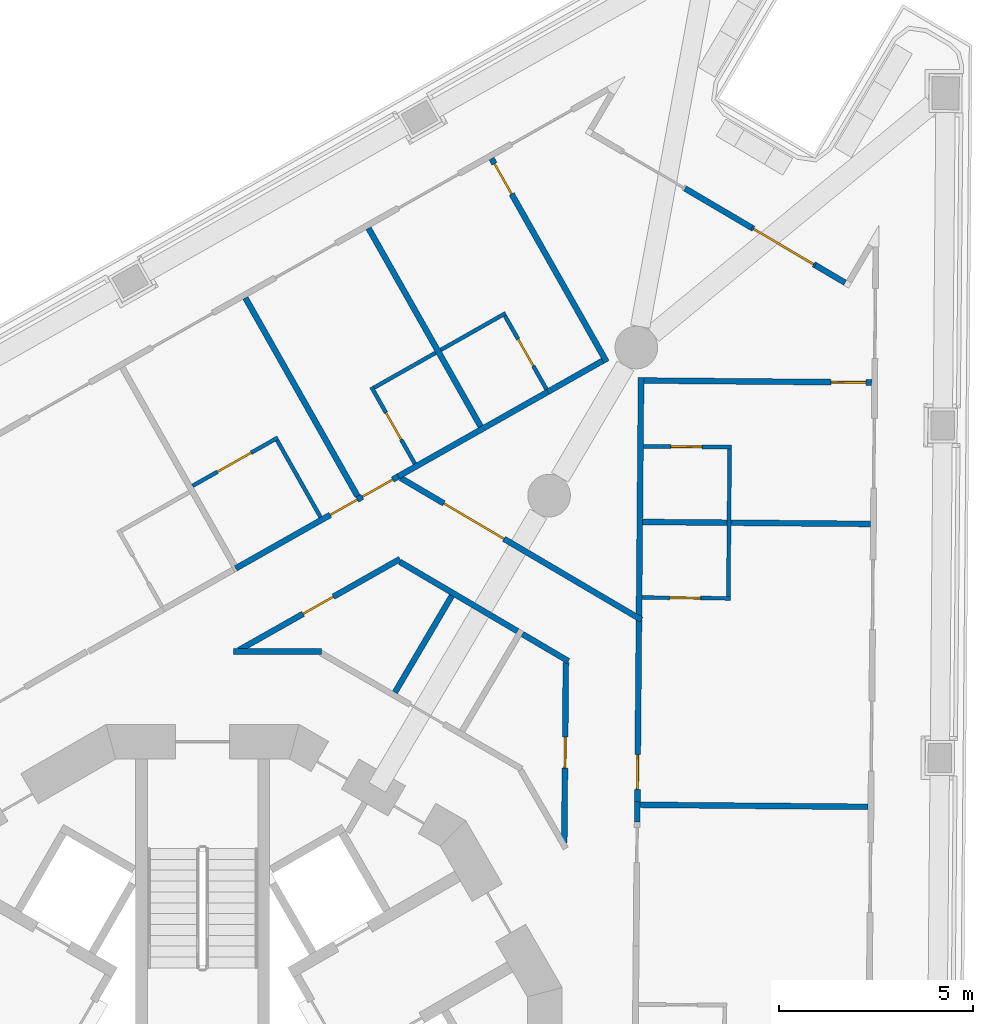
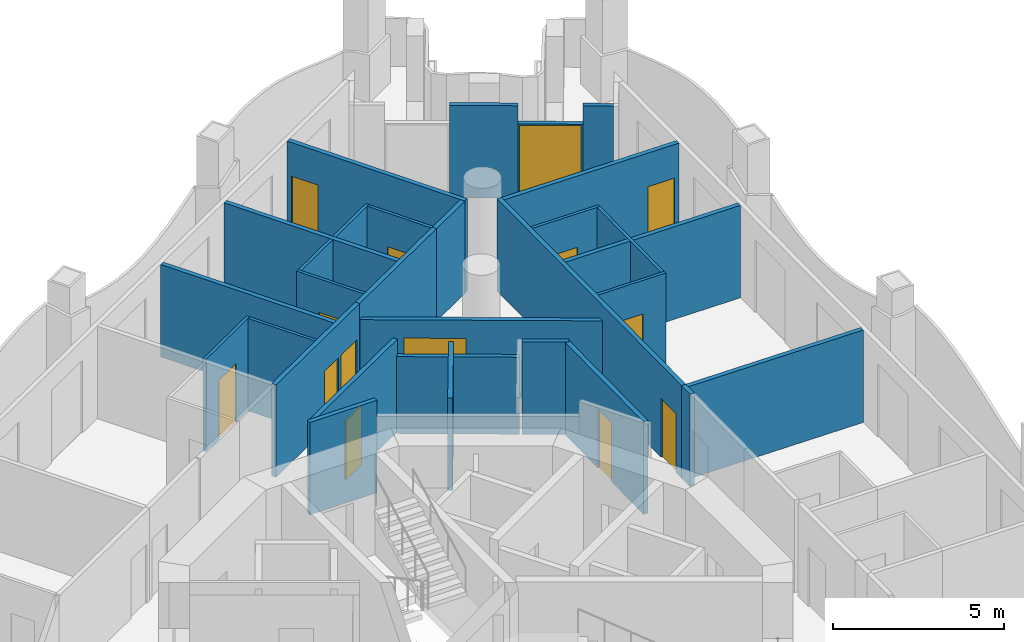
# One storey, part 9 of 17: 30 walls, 14 doors, 14 openings.
"""IFC4 building model written with IfcOpenShell, lengths in metres."""

from ifc_helpers import new_model, si_unit, direction, frame, frame_2d, origin, place, context, subcontext, project, spatial, polyline, rectangle, outline, extrude, material, layer, layer_set, type_object, element, fill, save


model = new_model("IFC4")

# Units and contexts
model_context = context("Model", 3, precision=1e-05, world=origin(), true_north=direction((0.0, 1.0)))
body_context = subcontext(model_context, "Body", "Model", "MODEL_VIEW")
ifc_project = project(units=[si_unit("LENGTHUNIT", "METRE"), si_unit("AREAUNIT", "SQUARE_METRE"), si_unit("VOLUMEUNIT", "CUBIC_METRE"), si_unit("PLANEANGLEUNIT", "RADIAN"), si_unit("MASSUNIT", "GRAM", prefix="KILO")], contexts=[model_context])

# Site, building, storey
site_placement = place(None, origin())
site = spatial("IfcSite", under=ifc_project, at=site_placement, CompositionType="ELEMENT")
building_placement = place(site_placement, origin())
building = spatial("IfcBuilding", under=site, at=building_placement, Name="Trine Commons Tower", CompositionType="ELEMENT")
storey_placement = place(building_placement, frame((0.0, 0.0, 186.300048828125)))
storey = spatial("IfcBuildingStorey", under=building, at=storey_placement, Name="L48", CompositionType="ELEMENT", Elevation=186.300048828125)

# Wall
ifc_material_1 = material(Name="Aluminium-framed insulated wall panel", Category="aluminium")
ifc_layer_1 = layer(ifc_material_1, 0.14990234375)
ifc_layer_set_1 = layer_set([ifc_layer_1], Name="Aluminium-framed insulated wall panel")
wall_type_1 = type_object("IfcWallType", Name="Glazed frame wall 150, EI 60", PredefinedType="SOLIDWALL", material=ifc_layer_set_1)
wall_1_placement = place(storey_placement, frame((92.44091796875, 85.5908203125, 0.0), z_axis=(0.0, 0.0, 1.0), x_axis=(0.861632831324, -0.507532130988, 0.0)))
element("IfcWall", 1, at=wall_1_placement, inside=storey, type_object=wall_type_1, Name="Glazed frame wall P2.3", PredefinedType="SOLIDWALL", context=body_context, shape_type="SweptSolid", body=[
    extrude(outline(polyline([(0.0, -0.074951171875), (2.0, -0.074951171875), (2.0, 0.074951171875), (0.0, 0.074951171875), (0.0, -0.074951171875)])), origin(), (0.0, 0.0, 1.0), 3.300048828125),
])

# Wall, opening, door
wall_2_placement = place(storey_placement, frame((94.164306640625, 84.57568359375, 0.0), z_axis=(0.0, 0.0, 1.0), x_axis=(0.86165989029, -0.507486190418, 0.0)))
wall_2 = element("IfcWall", 2, at=wall_2_placement, inside=storey, type_object=wall_type_1, Name="Glazed frame wall P2.4", PredefinedType="SOLIDWALL", context=body_context, shape_type="SweptSolid", body=[
    extrude(outline(polyline([(0.0, -0.074951171875), (1.89990234375, -0.074951171875), (1.89990234375, 0.074951171875), (0.0, 0.074951171875), (0.0, -0.074951171875)])), origin(), (0.0, 0.0, 1.0), 2.64990234375),
])
opening_1_placement = place(wall_2_placement, frame((0.050048828125, 0.0, 0.0)))
opening_1 = element("IfcOpeningElement", 3, at=opening_1_placement, cuts=wall_2, Name="Opening BD-5P2-02", PredefinedType="OPENING", context=body_context, shape_type="SweptSolid", body=[
    extrude(rectangle(XDim=1.800048828125, YDim=2.60009765625, at=frame_2d((0.89990234375, 1.300048828125))), frame((0.0, 0.0849609375, 0.0), z_axis=(0.0, -1.0, 0.0), x_axis=(1.0, 0.0, 0.0)), (0.0, 0.0, 1.0), 0.169921875),
])
ifc_material_2 = material(Name="Anodised aluminium frame with double glazing", Category="aluminium")
door_type_1 = type_object("IfcDoorType", Name="Sliding loggia door 1800x2600", OperationType="SLIDING_TO_LEFT", PredefinedType="DOOR", material=ifc_material_2)
door_1_placement = place(opening_1_placement, origin())
door_1 = element("IfcDoor", 4, at=door_1_placement, inside=storey, type_object=door_type_1, Name="Loggia door P2 2", OperationType="SLIDING_TO_LEFT", OverallHeight=2.60009765625, OverallWidth=1.800048828125, PredefinedType="DOOR", context=body_context, shape_type="SweptSolid", body=[
    extrude(rectangle(XDim=1.800048828125, YDim=2.60009765625, at=frame_2d((0.89990234375, 1.300048828125))), frame((0.0, 0.02490234375, 0.0), z_axis=(0.0, -1.0, 0.0), x_axis=(1.0, 0.0, 0.0)), (0.0, 0.0, 1.0), 0.050048828125),
])
fill(opening_1, door_1)

# Wall
wall_3_placement = place(storey_placement, frame((95.80126953125, 83.611572265625, 0.0), z_axis=(0.0, 0.0, 1.0), x_axis=(0.861664268073, -0.507478757315, 0.0)))
element("IfcWall", 5, at=wall_3_placement, inside=storey, type_object=wall_type_1, Name="Glazed frame wall P2.5", PredefinedType="SOLIDWALL", context=body_context, shape_type="SweptSolid", body=[
    extrude(outline(polyline([(0.889892578125, 0.074951171875), (0.0, 0.074951171875), (0.0, -0.074951171875), (0.889892578125, -0.074951171875), (0.889892578125, 0.074951171875)])), origin(), (0.0, 0.0, 1.0), 3.300048828125),
])

# Wall, openings, doors
ifc_material_3 = material(Name="Gypsum plasterboard on steel stud", Category="steel")
ifc_layer_2 = layer(ifc_material_3, 0.14990234375)
ifc_layer_set_2 = layer_set([ifc_layer_2], Name="Gypsum plasterboard on steel stud")
wall_type_2 = type_object("IfcWallType", Name="Unit and corridor wall 150 mm, EI 60", PredefinedType="PARTITIONING", material=ifc_layer_set_2)
wall_4_placement = place(storey_placement, frame((80.85595703125, 75.79296875, 0.0), z_axis=(0.0, 0.0, 1.0), x_axis=(0.870296246949, 0.492528621043, 0.0)))
wall_4 = element("IfcWall", 6, at=wall_4_placement, inside=storey, type_object=wall_type_2, Name="Partition 060", PredefinedType="PARTITIONING", context=body_context, shape_type="SweptSolid", body=[
    extrude(rectangle(XDim=4.812255859375, YDim=0.14990234375, at=frame_2d((2.40625, 0.0))), origin(), (0.0, 0.0, 1.0), 3.300048828125),
])
opening_2_placement = place(wall_4_placement, frame((2.800537109375, 0.0, 0.0)))
opening_2 = element("IfcOpeningElement", 7, at=opening_2_placement, cuts=wall_4, Name="Opening D-5C11", PredefinedType="OPENING", context=body_context, shape_type="SweptSolid", body=[
    extrude(rectangle(XDim=0.800048828125, YDim=2.10009765625, at=frame_2d((0.39990234375, 1.050048828125))), frame((0.0, 0.0849609375, 0.0), z_axis=(0.0, -1.0, 0.0), x_axis=(1.0, 0.0, 0.0)), (0.0, 0.0, 1.0), 0.169921875),
])
opening_3_placement = place(wall_4_placement, frame((3.75048828125, 0.0, 0.0)))
opening_3 = element("IfcOpeningElement", 8, at=opening_3_placement, cuts=wall_4, Name="Opening D-5C12", PredefinedType="OPENING", context=body_context, shape_type="SweptSolid", body=[
    extrude(rectangle(XDim=0.89990234375, YDim=2.10009765625, at=frame_2d((0.449951171875, 1.050048828125))), frame((0.0, 0.0849609375, 0.0), z_axis=(0.0, -1.0, 0.0), x_axis=(1.0, 0.0, 0.0)), (0.0, 0.0, 1.0), 0.169921875),
])
ifc_material_4 = material(Name="Timber fire door set", Category="wood")
door_type_2 = type_object("IfcDoorType", Name="Bedroom door 800 x 2100, FD30S", OperationType="NOTDEFINED", PredefinedType="DOOR", material=ifc_material_4)
door_2_placement = place(opening_2_placement, origin())
door_2 = element("IfcDoor", 9, at=door_2_placement, inside=storey, type_object=door_type_2, Name="Door D-5C11", OperationType="SINGLE_SWING_RIGHT", OverallHeight=2.10009765625, OverallWidth=0.800048828125, PredefinedType="DOOR", context=body_context, shape_type="SweptSolid", body=[
    extrude(rectangle(XDim=0.800048828125, YDim=2.10009765625, at=frame_2d((0.39990234375, 1.050048828125))), frame((0.0, 0.02490234375, 0.0), z_axis=(0.0, -1.0, 0.0), x_axis=(1.0, 0.0, 0.0)), (0.0, 0.0, 1.0), 0.050048828125),
])
fill(opening_2, door_2)
door_type_3 = type_object("IfcDoorType", Name="Bedroom door 900 x 2100, FD30S", OperationType="NOTDEFINED", PredefinedType="DOOR", material=ifc_material_4)
door_3_placement = place(opening_3_placement, origin())
door_3 = element("IfcDoor", 10, at=door_3_placement, inside=storey, type_object=door_type_3, Name="Door D-5C12", OperationType="SINGLE_SWING_RIGHT", OverallHeight=2.10009765625, OverallWidth=0.89990234375, PredefinedType="DOOR", context=body_context, shape_type="SweptSolid", body=[
    extrude(rectangle(XDim=0.89990234375, YDim=2.10009765625, at=frame_2d((0.449951171875, 1.050048828125))), frame((0.0, 0.02490234375, 0.0), z_axis=(0.0, -1.0, 0.0), x_axis=(1.0, 0.0, 0.0)), (0.0, 0.0, 1.0), 0.050048828125),
])
fill(opening_3, door_3)

# Wall
wall_5_placement = place(storey_placement, frame((80.79296875, 73.64794921875, 0.0), z_axis=(0.0, 0.0, 1.0), x_axis=(1.0, 0.0, 0.0)))
element("IfcWall", 11, at=wall_5_placement, inside=storey, type_object=wall_type_2, Name="Partition 061", PredefinedType="PARTITIONING", context=body_context, shape_type="SweptSolid", body=[
    extrude(rectangle(XDim=2.26904296875, YDim=0.14990234375, at=frame_2d((1.134521484375, 0.0))), origin(), (0.0, 0.0, 1.0), 3.300048828125),
])

# Wall, opening, door
wall_6_placement = place(storey_placement, frame((80.937255859375, 73.684814453125, 0.0), z_axis=(0.0, 0.0, 1.0), x_axis=(0.870319748897, 0.492487090876, 0.0)))
wall_6 = element("IfcWall", 12, at=wall_6_placement, inside=storey, type_object=wall_type_2, Name="Partition 062", PredefinedType="PARTITIONING", context=body_context, shape_type="SweptSolid", body=[
    extrude(rectangle(XDim=4.77197265625, YDim=0.14990234375, at=frame_2d((2.385986328125, 0.0))), origin(), (0.0, 0.0, 1.0), 3.300048828125),
])
opening_4_placement = place(wall_6_placement, frame((1.8984375, 0.0, 0.0)))
opening_4 = element("IfcOpeningElement", 13, at=opening_4_placement, cuts=wall_6, Name="Opening D-5C30", PredefinedType="OPENING", context=body_context, shape_type="SweptSolid", body=[
    extrude(rectangle(XDim=0.89990234375, YDim=2.10009765625, at=frame_2d((0.449951171875, 1.050048828125))), frame((0.0, 0.0849609375, 0.0), z_axis=(0.0, -1.0, 0.0), x_axis=(1.0, 0.0, 0.0)), (0.0, 0.0, 1.0), 0.169921875),
])
door_type_4 = type_object("IfcDoorType", Name="Service door 900 x 2100, FD30S", OperationType="NOTDEFINED", PredefinedType="DOOR", material=ifc_material_4)
door_4_placement = place(opening_4_placement, frame((0.89990234375, 0.0, 0.0), z_axis=(0.0, 0.0, 1.0), x_axis=(-1.0, 0.0, 0.0)))
door_4 = element("IfcDoor", 14, at=door_4_placement, inside=storey, type_object=door_type_4, Name="Door D-5C30", OperationType="SINGLE_SWING_RIGHT", OverallHeight=2.10009765625, OverallWidth=0.89990234375, PredefinedType="DOOR", context=body_context, shape_type="SweptSolid", body=[
    extrude(rectangle(XDim=0.89990234375, YDim=2.10009765625, at=frame_2d((0.449951171875, 1.050048828125))), frame((0.0, 0.02490234375, 0.0), z_axis=(0.0, -1.0, 0.0), x_axis=(1.0, 0.0, 0.0)), (0.0, 0.0, 1.0), 0.050048828125),
])
fill(opening_4, door_4)

# Walls
wall_7_placement = place(storey_placement, frame((81.103759765625, 82.769287109375, 0.0), z_axis=(0.0, 0.0, 1.0), x_axis=(0.492361245758, -0.870390948756, 0.0)))
element("IfcWall", 15, at=wall_7_placement, inside=storey, type_object=wall_type_2, Name="Partition 063", PredefinedType="PARTITIONING", context=body_context, shape_type="SweptSolid", body=[
    extrude(rectangle(XDim=5.87451171875, YDim=0.14990234375, at=frame_2d((2.937255859375, 0.0))), origin(), (0.0, 0.0, 1.0), 3.300048828125),
])
wall_8_placement = place(storey_placement, frame((84.27880859375, 84.565185546875, 0.0), z_axis=(0.0, 0.0, 1.0), x_axis=(0.4923790567, -0.870380873252, 0.0)))
element("IfcWall", 16, at=wall_8_placement, inside=storey, type_object=wall_type_2, Name="Partition 074", PredefinedType="PARTITIONING", context=body_context, shape_type="SweptSolid", body=[
    extrude(rectangle(XDim=5.874267578125, YDim=0.14990234375, at=frame_2d((2.93701171875, 0.0))), origin(), (0.0, 0.0, 1.0), 3.300048828125),
])
wall_9_placement = place(storey_placement, frame((84.960205078125, 72.595703125, 0.0), z_axis=(0.0, 0.0, 1.0), x_axis=(0.507595999699, 0.861595207212, 0.0)))
element("IfcWall", 17, at=wall_9_placement, inside=storey, type_object=wall_type_2, Name="Partition 080", PredefinedType="PARTITIONING", context=body_context, shape_type="SweptSolid", body=[
    extrude(rectangle(XDim=2.8896484375, YDim=0.14990234375, at=frame_2d((1.44482421875, 0.0))), origin(), (0.0, 0.0, 1.0), 3.300048828125),
])
wall_10_placement = place(storey_placement, frame((85.089599609375, 75.9599609375, 0.0), z_axis=(0.0, 0.0, 1.0), x_axis=(0.861618447689, -0.507556549166, 0.0)))
element("IfcWall", 18, at=wall_10_placement, inside=storey, type_object=wall_type_2, Name="Partition 081", PredefinedType="PARTITIONING", context=body_context, shape_type="SweptSolid", body=[
    extrude(rectangle(XDim=3.599365234375, YDim=0.14990234375, at=frame_2d((1.7998046875, 0.0))), origin(), (0.0, 0.0, 1.0), 2.75),
])
wall_11_placement = place(storey_placement, frame((85.0439453125, 78.1630859375, 0.0), z_axis=(0.0, 0.0, 1.0), x_axis=(0.870383507411, 0.492374400256, 0.0)))
element("IfcWall", 19, at=wall_11_placement, inside=storey, type_object=wall_type_2, Name="Partition 082", PredefinedType="PARTITIONING", context=body_context, shape_type="SweptSolid", body=[
    extrude(rectangle(XDim=4.4892578125, YDim=0.14990234375, at=frame_2d((2.24462890625, 0.0))), origin(), (0.0, 0.0, 1.0), 3.300048828125),
])

# Wall, opening, door
wall_12_placement = place(storey_placement, frame((85.108642578125, 78.125, 0.0), z_axis=(0.0, 0.0, 1.0), x_axis=(0.861578679129, -0.507624053479, 0.0)))
wall_12 = element("IfcWall", 20, at=wall_12_placement, inside=storey, type_object=wall_type_2, Name="Partition 083", PredefinedType="PARTITIONING", context=body_context, shape_type="SweptSolid", body=[
    extrude(rectangle(XDim=7.20654296875, YDim=0.14990234375, at=frame_2d((3.603271484375, 0.0))), origin(), (0.0, 0.0, 1.0), 2.75),
])
opening_5_placement = place(wall_12_placement, frame((1.29296875, 0.0, 0.0)))
opening_5 = element("IfcOpeningElement", 21, at=opening_5_placement, cuts=wall_12, Name="Opening D-5C01", PredefinedType="OPENING", context=body_context, shape_type="SweptSolid", body=[
    extrude(rectangle(XDim=1.800048828125, YDim=2.10009765625, at=frame_2d((0.89990234375, 1.050048828125))), frame((0.0, 0.0849609375, 0.0), z_axis=(0.0, -1.0, 0.0), x_axis=(1.0, 0.0, 0.0)), (0.0, 0.0, 1.0), 0.169921875),
])
door_type_5 = type_object("IfcDoorType", Name="Cluster entrance door 1800 x 2100, double leaf, FD30S", OperationType="DOUBLE_DOOR_DOUBLE_SWING", PredefinedType="DOOR", material=ifc_material_4)
door_5_placement = place(opening_5_placement, origin())
door_5 = element("IfcDoor", 22, at=door_5_placement, inside=storey, type_object=door_type_5, Name="Door D-5C01", OperationType="DOUBLE_DOOR_DOUBLE_SWING", OverallHeight=2.10009765625, OverallWidth=1.800048828125, PredefinedType="DOOR", context=body_context, shape_type="SweptSolid", body=[
    extrude(rectangle(XDim=1.800048828125, YDim=2.10009765625, at=frame_2d((0.89990234375, 1.050048828125))), frame((0.0, 0.02490234375, 0.0), z_axis=(0.0, -1.0, 0.0), x_axis=(1.0, 0.0, 0.0)), (0.0, 0.0, 1.0), 0.050048828125),
])
fill(opening_5, door_5)

wall_13_placement = place(storey_placement, frame((87.45263671875, 86.361083984375, 0.0), z_axis=(0.0, 0.0, 1.0), x_axis=(0.492389730591, -0.870374834889, 0.0)))
wall_13 = element("IfcWall", 23, at=wall_13_placement, inside=storey, type_object=wall_type_2, Name="Partition 091", PredefinedType="PARTITIONING", context=body_context, shape_type="SweptSolid", body=[
    extrude(rectangle(XDim=6.0244140625, YDim=0.14990234375, at=frame_2d((3.01220703125, 0.0))), origin(), (0.0, 0.0, 1.0), 3.300048828125),
])
opening_6_placement = place(wall_13_placement, frame((0.14990234375, 0.0, 0.0)))
opening_6 = element("IfcOpeningElement", 24, at=opening_6_placement, cuts=wall_13, Name="Opening D-5C13", PredefinedType="OPENING", context=body_context, shape_type="SweptSolid", body=[
    extrude(rectangle(XDim=0.89990234375, YDim=2.10009765625, at=frame_2d((0.449951171875, 1.050048828125))), frame((0.0, 0.0849609375, 0.0), z_axis=(0.0, -1.0, 0.0), x_axis=(1.0, 0.0, 0.0)), (0.0, 0.0, 1.0), 0.169921875),
])
door_6_placement = place(opening_6_placement, frame((0.89990234375, 0.0, 0.0), z_axis=(0.0, 0.0, 1.0), x_axis=(-1.0, 0.0, 0.0)))
door_6 = element("IfcDoor", 25, at=door_6_placement, inside=storey, type_object=door_type_3, Name="Door D-5C13", OperationType="SINGLE_SWING_RIGHT", OverallHeight=2.10009765625, OverallWidth=0.89990234375, PredefinedType="DOOR", context=body_context, shape_type="SweptSolid", body=[
    extrude(rectangle(XDim=0.89990234375, YDim=2.10009765625, at=frame_2d((0.449951171875, 1.050048828125))), frame((0.0, 0.02490234375, 0.0), z_axis=(0.0, -1.0, 0.0), x_axis=(1.0, 0.0, 0.0)), (0.0, 0.0, 1.0), 0.050048828125),
])
fill(opening_6, door_6)

# Walls
wall_14_placement = place(storey_placement, frame((88.24951171875, 74.098876953125, 0.0), z_axis=(0.0, 0.0, 1.0), x_axis=(0.861463535888, -0.507819432805, 0.0)))
element("IfcWall", 26, at=wall_14_placement, inside=storey, type_object=wall_type_2, Name="Partition 096", PredefinedType="PARTITIONING", context=body_context, shape_type="SweptSolid", body=[
    extrude(rectangle(XDim=1.37451171875, YDim=0.14990234375, at=frame_2d((0.687255859375, 0.0))), origin(), (0.0, 0.0, 1.0), 3.300048828125),
])
wall_15_placement = place(storey_placement, frame((88.902099609375, 80.344970703125, 0.0), z_axis=(0.0, 0.0, 1.0), x_axis=(0.870168163768, 0.492754874927, 0.0)))
element("IfcWall", 27, at=wall_15_placement, inside=storey, type_object=wall_type_2, Name="Partition 098", PredefinedType="PARTITIONING", context=body_context, shape_type="SweptSolid", body=[
    extrude(rectangle(XDim=1.62548828125, YDim=0.14990234375, at=frame_2d((0.812744140625, 0.0))), origin(), (0.0, 0.0, 1.0), 3.300048828125),
])

# Wall, opening, door
wall_16_placement = place(storey_placement, frame((89.32763671875, 68.716064453125, 0.0), z_axis=(0.0, 0.0, 1.0), x_axis=(0.008771592358, 0.999961528844, 0.0)))
wall_16 = element("IfcWall", 28, at=wall_16_placement, inside=storey, type_object=wall_type_2, Name="Partition 102", PredefinedType="PARTITIONING", context=body_context, shape_type="SweptSolid", body=[
    extrude(rectangle(XDim=4.648193359375, YDim=0.14990234375, at=frame_2d((2.32421875, 0.0))), origin(), (0.0, 0.0, 1.0), 3.300048828125),
])
opening_7_placement = place(wall_16_placement, frame((1.924072265625, 0.0, 0.0)))
opening_7 = element("IfcOpeningElement", 29, at=opening_7_placement, cuts=wall_16, Name="Opening D-5C31", PredefinedType="OPENING", context=body_context, shape_type="SweptSolid", body=[
    extrude(rectangle(XDim=0.800048828125, YDim=2.10009765625, at=frame_2d((0.39990234375, 1.050048828125))), frame((0.0, 0.0849609375, 0.0), z_axis=(0.0, -1.0, 0.0), x_axis=(1.0, 0.0, 0.0)), (0.0, 0.0, 1.0), 0.169921875),
])
ifc_material_5 = material(Name="Painted timber", Category="wood")
door_type_6 = type_object("IfcDoorType", Name="Toilet door 800 x 2100, NOT RATED", OperationType="NOTDEFINED", PredefinedType="DOOR", material=ifc_material_5)
door_7_placement = place(opening_7_placement, origin())
door_7 = element("IfcDoor", 30, at=door_7_placement, inside=storey, type_object=door_type_6, Name="Door D-5C31", OperationType="SINGLE_SWING_RIGHT", OverallHeight=2.10009765625, OverallWidth=0.800048828125, PredefinedType="DOOR", context=body_context, shape_type="SweptSolid", body=[
    extrude(rectangle(XDim=0.800048828125, YDim=2.10009765625, at=frame_2d((0.39990234375, 1.050048828125))), frame((0.0, 0.02490234375, 0.0), z_axis=(0.0, -1.0, 0.0), x_axis=(1.0, 0.0, 0.0)), (0.0, 0.0, 1.0), 0.050048828125),
])
fill(opening_7, door_7)

# Wall
wall_17_placement = place(storey_placement, frame((91.20703125, 69.259033203125, 0.0), z_axis=(0.0, 0.0, 1.0), x_axis=(0.008974603128, 0.999959727438, 0.0)))
element("IfcWall", 31, at=wall_17_placement, inside=storey, type_object=wall_type_2, Name="Partition 120", PredefinedType="PARTITIONING", context=body_context, shape_type="SweptSolid", body=[
    extrude(rectangle(XDim=0.516845703125, YDim=0.14990234375, at=frame_2d((0.25830078125, 0.0))), origin(), (0.0, 0.0, 1.0), 3.300048828125),
])

# Wall, opening, door
wall_18_placement = place(storey_placement, frame((91.2109375, 69.693115234375, 0.0), z_axis=(0.0, 0.0, 1.0), x_axis=(0.008772952582, 0.999961516911, 0.0)))
wall_18 = element("IfcWall", 32, at=wall_18_placement, inside=storey, type_object=wall_type_2, Name="Partition 121", PredefinedType="PARTITIONING", context=body_context, shape_type="SweptSolid", body=[
    extrude(rectangle(XDim=11.020263671875, YDim=0.14990234375, at=frame_2d((5.51025390625, 0.0))), origin(), (0.0, 0.0, 1.0), 3.300048828125),
])
opening_8_placement = place(wall_18_placement, frame((0.398681640625, 0.0, 0.0)))
opening_8 = element("IfcOpeningElement", 33, at=opening_8_placement, cuts=wall_18, Name="Opening D-5C15", PredefinedType="OPENING", context=body_context, shape_type="SweptSolid", body=[
    extrude(rectangle(XDim=0.89990234375, YDim=2.10009765625, at=frame_2d((0.449951171875, 1.050048828125))), frame((0.0, 0.0849609375, 0.0), z_axis=(0.0, -1.0, 0.0), x_axis=(1.0, 0.0, 0.0)), (0.0, 0.0, 1.0), 0.169921875),
])
door_8_placement = place(opening_8_placement, frame((0.89990234375, 0.0, 0.0), z_axis=(0.0, 0.0, 1.0), x_axis=(-1.0, 0.0, 0.0)))
door_8 = element("IfcDoor", 34, at=door_8_placement, inside=storey, type_object=door_type_3, Name="Door D-5C15", OperationType="SINGLE_SWING_RIGHT", OverallHeight=2.10009765625, OverallWidth=0.89990234375, PredefinedType="DOOR", context=body_context, shape_type="SweptSolid", body=[
    extrude(rectangle(XDim=0.89990234375, YDim=2.10009765625, at=frame_2d((0.449951171875, 1.050048828125))), frame((0.0, 0.02490234375, 0.0), z_axis=(0.0, -1.0, 0.0), x_axis=(1.0, 0.0, 0.0)), (0.0, 0.0, 1.0), 0.050048828125),
])
fill(opening_8, door_8)

# Walls
wall_19_placement = place(storey_placement, frame((91.285888671875, 69.6962890625, 0.0), z_axis=(0.0, 0.0, 1.0), x_axis=(0.999960828694, -0.008851049556, 0.0)))
element("IfcWall", 35, at=wall_19_placement, inside=storey, type_object=wall_type_2, Name="Partition 122", PredefinedType="PARTITIONING", context=body_context, shape_type="SweptSolid", body=[
    extrude(rectangle(XDim=5.875244140625, YDim=0.14990234375, at=frame_2d((2.9375, 0.0))), origin(), (0.0, 0.0, 1.0), 3.300048828125),
])
wall_20_placement = place(storey_placement, frame((91.35009765625, 76.990234375, 0.0), z_axis=(0.0, 0.0, 1.0), x_axis=(0.999962273479, -0.008686289076, 0.0)))
element("IfcWall", 36, at=wall_20_placement, inside=storey, type_object=wall_type_2, Name="Partition 125", PredefinedType="PARTITIONING", context=body_context, shape_type="SweptSolid", body=[
    extrude(rectangle(XDim=5.874267578125, YDim=0.14990234375, at=frame_2d((2.93701171875, 0.0))), origin(), (0.0, 0.0, 1.0), 3.300048828125),
])

# Wall, opening, door
wall_21_placement = place(storey_placement, frame((91.382080078125, 80.63720703125, 0.0), z_axis=(0.0, 0.0, 1.0), x_axis=(0.999962273479, -0.008686289076, 0.0)))
wall_21 = element("IfcWall", 37, at=wall_21_placement, inside=storey, type_object=wall_type_2, Name="Partition 127", PredefinedType="PARTITIONING", context=body_context, shape_type="SweptSolid", body=[
    extrude(rectangle(XDim=5.874267578125, YDim=0.14990234375, at=frame_2d((2.93701171875, 0.0))), origin(), (0.0, 0.0, 1.0), 3.300048828125),
])
opening_9_placement = place(wall_21_placement, frame((4.82421875, 0.0, 0.0)))
opening_9 = element("IfcOpeningElement", 38, at=opening_9_placement, cuts=wall_21, Name="Opening D-5C14", PredefinedType="OPENING", context=body_context, shape_type="SweptSolid", body=[
    extrude(rectangle(XDim=0.89990234375, YDim=2.10009765625, at=frame_2d((0.449951171875, 1.050048828125))), frame((0.0, 0.0849609375, 0.0), z_axis=(0.0, -1.0, 0.0), x_axis=(1.0, 0.0, 0.0)), (0.0, 0.0, 1.0), 0.169921875),
])
door_9_placement = place(opening_9_placement, frame((0.89990234375, 0.0, 0.0), z_axis=(0.0, 0.0, 1.0), x_axis=(-1.0, 0.0, 0.0)))
door_9 = element("IfcDoor", 39, at=door_9_placement, inside=storey, type_object=door_type_3, Name="Door D-5C14", OperationType="SINGLE_SWING_LEFT", OverallHeight=2.10009765625, OverallWidth=0.89990234375, PredefinedType="DOOR", context=body_context, shape_type="SweptSolid", body=[
    extrude(rectangle(XDim=0.89990234375, YDim=2.10009765625, at=frame_2d((0.449951171875, 1.050048828125))), frame((0.0, 0.02490234375, 0.0), z_axis=(0.0, -1.0, 0.0), x_axis=(1.0, 0.0, 0.0)), (0.0, 0.0, 1.0), 0.050048828125),
])
fill(opening_9, door_9)

ifc_layer_3 = layer(ifc_material_3, 0.10009765625)
ifc_layer_set_3 = layer_set([ifc_layer_3], Name="Gypsum plasterboard on steel stud")
wall_type_3 = type_object("IfcWallType", Name="Unit partition 100 mm, no rating", PredefinedType="PARTITIONING", material=ifc_layer_set_3)
wall_22_placement = place(storey_placement, frame((79.7421875, 77.9208984375, 0.0), z_axis=(0.0, 0.0, 1.0), x_axis=(0.870364731179, 0.49240759003, 0.0)))
wall_22 = element("IfcWall", 40, at=wall_22_placement, inside=storey, type_object=wall_type_3, Name="Partition 055", PredefinedType="PARTITIONING", context=body_context, shape_type="SweptSolid", body=[
    extrude(rectangle(XDim=2.525634765625, YDim=0.10009765625, at=frame_2d((1.2626953125, 0.0))), origin(), (0.0, 0.0, 1.0), 3.300048828125),
])
opening_10_placement = place(wall_22_placement, frame((0.73779296875, 0.0, 0.0)))
opening_10 = element("IfcOpeningElement", 41, at=opening_10_placement, cuts=wall_22, Name="Opening D-5C37", PredefinedType="OPENING", context=body_context, shape_type="SweptSolid", body=[
    extrude(rectangle(XDim=1.0, YDim=2.10009765625, at=frame_2d((0.5, 1.050048828125))), frame((0.0, 0.06005859375, 0.0), z_axis=(0.0, -1.0, 0.0), x_axis=(1.0, 0.0, 0.0)), (0.0, 0.0, 1.0), 0.1201171875),
])
door_type_7 = type_object("IfcDoorType", Name="Internal door 1000 x 2100, NOT RATED", OperationType="NOTDEFINED", PredefinedType="DOOR", material=ifc_material_5)
door_10_placement = place(opening_10_placement, origin())
door_10 = element("IfcDoor", 42, at=door_10_placement, inside=storey, type_object=door_type_7, Name="Door D-5C37", OperationType="SINGLE_SWING_LEFT", OverallHeight=2.10009765625, OverallWidth=1.0, PredefinedType="DOOR", context=body_context, shape_type="SweptSolid", body=[
    extrude(rectangle(XDim=1.0, YDim=2.10009765625, at=frame_2d((0.5, 1.050048828125))), frame((0.0, 0.02490234375, 0.0), z_axis=(0.0, -1.0, 0.0), x_axis=(1.0, 0.0, 0.0)), (0.0, 0.0, 1.0), 0.050048828125),
])
fill(opening_10, door_10)

# Wall
wall_23_placement = place(storey_placement, frame((81.921630859375, 79.096435546875, 0.0), z_axis=(0.0, 0.0, 1.0), x_axis=(0.492424941649, -0.870354914298, 0.0)))
element("IfcWall", 43, at=wall_23_placement, inside=storey, type_object=wall_type_3, Name="Partition 065", PredefinedType="PARTITIONING", context=body_context, shape_type="SweptSolid", body=[
    extrude(rectangle(XDim=2.275146484375, YDim=0.10009765625, at=frame_2d((1.1376953125, 0.0))), origin(), (0.0, 0.0, 1.0), 3.300048828125),
])

# Wall, opening, door
wall_24_placement = place(storey_placement, frame((84.353515625, 80.471435546875, 0.0), z_axis=(0.0, 0.0, 1.0), x_axis=(0.492690247552, -0.870204757495, 0.0)))
wall_24 = element("IfcWall", 44, at=wall_24_placement, inside=storey, type_object=wall_type_3, Name="Partition 075", PredefinedType="PARTITIONING", context=body_context, shape_type="SweptSolid", body=[
    extrude(rectangle(XDim=2.2744140625, YDim=0.10009765625, at=frame_2d((1.13720703125, 0.0))), origin(), (0.0, 0.0, 1.0), 3.300048828125),
])
opening_11_placement = place(wall_24_placement, frame((0.76220703125, 0.0, 0.0)))
opening_11 = element("IfcOpeningElement", 45, at=opening_11_placement, cuts=wall_24, Name="Opening D-5C38", PredefinedType="OPENING", context=body_context, shape_type="SweptSolid", body=[
    extrude(rectangle(XDim=0.800048828125, YDim=2.10009765625, at=frame_2d((0.39990234375, 1.050048828125))), frame((0.0, 0.06005859375, 0.0), z_axis=(0.0, -1.0, 0.0), x_axis=(1.0, 0.0, 0.0)), (0.0, 0.0, 1.0), 0.1201171875),
])
door_type_8 = type_object("IfcDoorType", Name="Internal door 800 x 2100, NOT RATED", OperationType="NOTDEFINED", PredefinedType="DOOR", material=ifc_material_5)
door_11_placement = place(opening_11_placement, frame((0.800048828125, 0.0, 0.0), z_axis=(0.0, 0.0, 1.0), x_axis=(-1.0, 0.0, 0.0)))
door_11 = element("IfcDoor", 46, at=door_11_placement, inside=storey, type_object=door_type_8, Name="Door D-5C38", OperationType="SINGLE_SWING_LEFT", OverallHeight=2.10009765625, OverallWidth=0.800048828125, PredefinedType="DOOR", context=body_context, shape_type="SweptSolid", body=[
    extrude(rectangle(XDim=0.800048828125, YDim=2.10009765625, at=frame_2d((0.39990234375, 1.050048828125))), frame((0.0, 0.02490234375, 0.0), z_axis=(0.0, -1.0, 0.0), x_axis=(1.0, 0.0, 0.0)), (0.0, 0.0, 1.0), 0.050048828125),
])
fill(opening_11, door_11)

# Walls
wall_25_placement = place(storey_placement, frame((84.42138671875, 80.45263671875, 0.0), z_axis=(0.0, 0.0, 1.0), x_axis=(0.870178952447, 0.492735822443, 0.0)))
element("IfcWall", 47, at=wall_25_placement, inside=storey, type_object=wall_type_3, Name="Partition 076", PredefinedType="PARTITIONING", context=body_context, shape_type="SweptSolid", body=[
    extrude(rectangle(XDim=1.825439453125, YDim=0.10009765625, at=frame_2d((0.91259765625, 0.0))), origin(), (0.0, 0.0, 1.0), 3.300048828125),
])
wall_26_placement = place(storey_placement, frame((86.140380859375, 81.42578125, 0.0), z_axis=(0.0, 0.0, 1.0), x_axis=(0.870343029739, 0.492445946866, 0.0)))
element("IfcWall", 48, at=wall_26_placement, inside=storey, type_object=wall_type_3, Name="Partition 087", PredefinedType="PARTITIONING", context=body_context, shape_type="SweptSolid", body=[
    extrude(rectangle(XDim=1.924560546875, YDim=0.10009765625, at=frame_2d((0.96240234375, 0.0))), origin(), (0.0, 0.0, 1.0), 3.300048828125),
])

# Wall, opening, door
wall_27_placement = place(storey_placement, frame((87.796630859375, 82.305419921875, 0.0), z_axis=(0.0, 0.0, 1.0), x_axis=(0.492593408535, -0.870259578441, 0.0)))
wall_27 = element("IfcWall", 49, at=wall_27_placement, inside=storey, type_object=wall_type_3, Name="Partition 092", PredefinedType="PARTITIONING", context=body_context, shape_type="SweptSolid", body=[
    extrude(rectangle(XDim=2.17529296875, YDim=0.10009765625, at=frame_2d((1.087646484375, 0.0))), origin(), (0.0, 0.0, 1.0), 3.300048828125),
])
opening_12_placement = place(wall_27_placement, frame((0.6875, 0.0, 0.0)))
opening_12 = element("IfcOpeningElement", 50, at=opening_12_placement, cuts=wall_27, Name="Opening D-5C39", PredefinedType="OPENING", context=body_context, shape_type="SweptSolid", body=[
    extrude(rectangle(XDim=0.800048828125, YDim=2.10009765625, at=frame_2d((0.39990234375, 1.050048828125))), frame((0.0, 0.06005859375, 0.0), z_axis=(0.0, -1.0, 0.0), x_axis=(1.0, 0.0, 0.0)), (0.0, 0.0, 1.0), 0.1201171875),
])
door_12_placement = place(opening_12_placement, origin())
door_12 = element("IfcDoor", 51, at=door_12_placement, inside=storey, type_object=door_type_8, Name="Door D-5C39", OperationType="SINGLE_SWING_LEFT", OverallHeight=2.10009765625, OverallWidth=0.800048828125, PredefinedType="DOOR", context=body_context, shape_type="SweptSolid", body=[
    extrude(rectangle(XDim=0.800048828125, YDim=2.10009765625, at=frame_2d((0.39990234375, 1.050048828125))), frame((0.0, 0.02490234375, 0.0), z_axis=(0.0, -1.0, 0.0), x_axis=(1.0, 0.0, 0.0)), (0.0, 0.0, 1.0), 0.050048828125),
])
fill(opening_12, door_12)

wall_28_placement = place(storey_placement, frame((91.3330078125, 75.040283203125, 0.0), z_axis=(0.0, 0.0, 1.0), x_axis=(0.999962219299, -0.008692524121, 0.0)))
wall_28 = element("IfcWall", 52, at=wall_28_placement, inside=storey, type_object=wall_type_3, Name="Partition 124", PredefinedType="PARTITIONING", context=body_context, shape_type="SweptSolid", body=[
    extrude(rectangle(XDim=2.27490234375, YDim=0.10009765625, at=frame_2d((1.137451171875, 0.0))), origin(), (0.0, 0.0, 1.0), 3.300048828125),
])
opening_13_placement = place(wall_28_placement, frame((0.71240234375, 0.0, 0.0)))
opening_13 = element("IfcOpeningElement", 53, at=opening_13_placement, cuts=wall_28, Name="Opening D-5C41", PredefinedType="OPENING", context=body_context, shape_type="SweptSolid", body=[
    extrude(rectangle(XDim=0.800048828125, YDim=2.10009765625, at=frame_2d((0.39990234375, 1.050048828125))), frame((0.0, 0.06005859375, 0.0), z_axis=(0.0, -1.0, 0.0), x_axis=(1.0, 0.0, 0.0)), (0.0, 0.0, 1.0), 0.1201171875),
])
door_13_placement = place(opening_13_placement, frame((0.800048828125, 0.0, 0.0), z_axis=(0.0, 0.0, 1.0), x_axis=(-1.0, 0.0, 0.0)))
door_13 = element("IfcDoor", 54, at=door_13_placement, inside=storey, type_object=door_type_8, Name="Door D-5C41", OperationType="SINGLE_SWING_RIGHT", OverallHeight=2.10009765625, OverallWidth=0.800048828125, PredefinedType="DOOR", context=body_context, shape_type="SweptSolid", body=[
    extrude(rectangle(XDim=0.800048828125, YDim=2.10009765625, at=frame_2d((0.39990234375, 1.050048828125))), frame((0.0, 0.02490234375, 0.0), z_axis=(0.0, -1.0, 0.0), x_axis=(1.0, 0.0, 0.0)), (0.0, 0.0, 1.0), 0.050048828125),
])
fill(opening_13, door_13)

wall_29_placement = place(storey_placement, frame((91.366943359375, 78.940185546875, 0.0), z_axis=(0.0, 0.0, 1.0), x_axis=(0.999963154254, -0.008584295776, 0.0)))
wall_29 = element("IfcWall", 55, at=wall_29_placement, inside=storey, type_object=wall_type_3, Name="Partition 126", PredefinedType="PARTITIONING", context=body_context, shape_type="SweptSolid", body=[
    extrude(rectangle(XDim=2.275146484375, YDim=0.10009765625, at=frame_2d((1.1376953125, 0.0))), origin(), (0.0, 0.0, 1.0), 3.300048828125),
])
opening_14_placement = place(wall_29_placement, frame((0.71240234375, 0.0, 0.0)))
opening_14 = element("IfcOpeningElement", 56, at=opening_14_placement, cuts=wall_29, Name="Opening D-5C40", PredefinedType="OPENING", context=body_context, shape_type="SweptSolid", body=[
    extrude(rectangle(XDim=0.800048828125, YDim=2.10009765625, at=frame_2d((0.39990234375, 1.050048828125))), frame((0.0, 0.06005859375, 0.0), z_axis=(0.0, -1.0, 0.0), x_axis=(1.0, 0.0, 0.0)), (0.0, 0.0, 1.0), 0.1201171875),
])
door_14_placement = place(opening_14_placement, origin())
door_14 = element("IfcDoor", 57, at=door_14_placement, inside=storey, type_object=door_type_8, Name="Door D-5C40", OperationType="SINGLE_SWING_LEFT", OverallHeight=2.10009765625, OverallWidth=0.800048828125, PredefinedType="DOOR", context=body_context, shape_type="SweptSolid", body=[
    extrude(rectangle(XDim=0.800048828125, YDim=2.10009765625, at=frame_2d((0.39990234375, 1.050048828125))), frame((0.0, 0.02490234375, 0.0), z_axis=(0.0, -1.0, 0.0), x_axis=(1.0, 0.0, 0.0)), (0.0, 0.0, 1.0), 0.050048828125),
])
fill(opening_14, door_14)

# Wall
wall_30_placement = place(storey_placement, frame((93.558349609375, 75.071044921875, 0.0), z_axis=(0.0, 0.0, 1.0), x_axis=(0.008737218686, 0.999961829776, 0.0)))
element("IfcWall", 58, at=wall_30_placement, inside=storey, type_object=wall_type_3, Name="Partition 134", PredefinedType="PARTITIONING", context=body_context, shape_type="SweptSolid", body=[
    extrude(rectangle(XDim=3.80029296875, YDim=0.10009765625, at=frame_2d((1.900146484375, 0.0))), origin(), (0.0, 0.0, 1.0), 3.300048828125),
])

save(model, "model.ifc")
